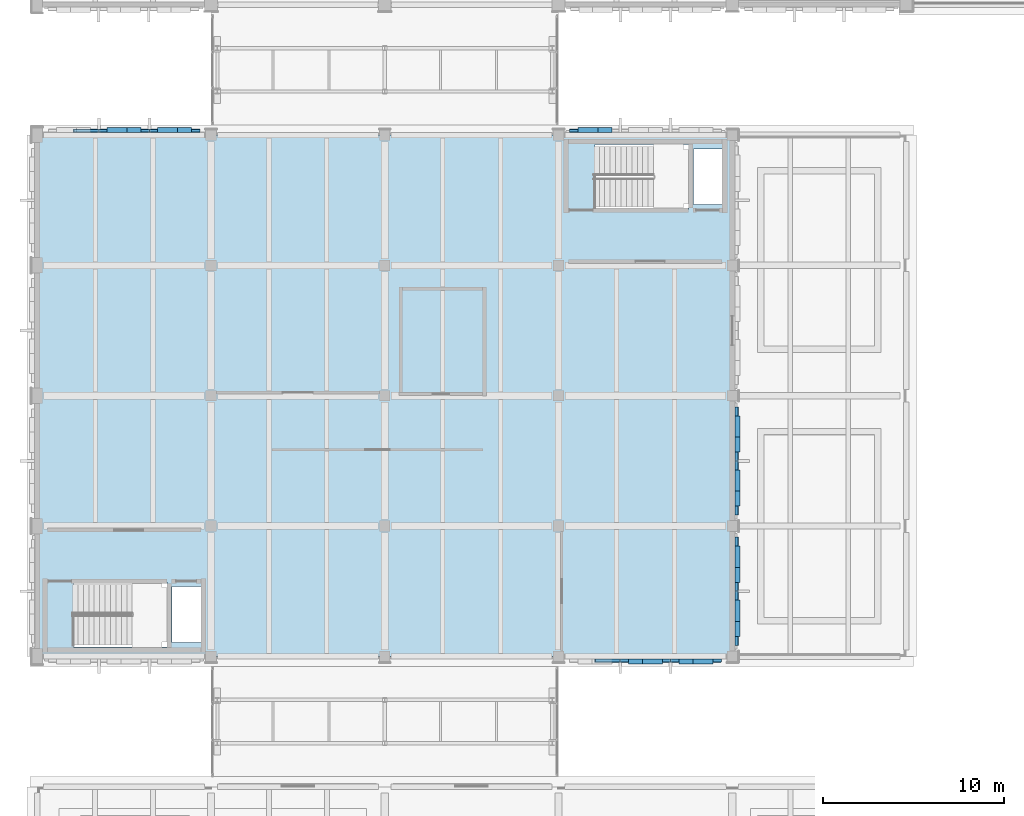
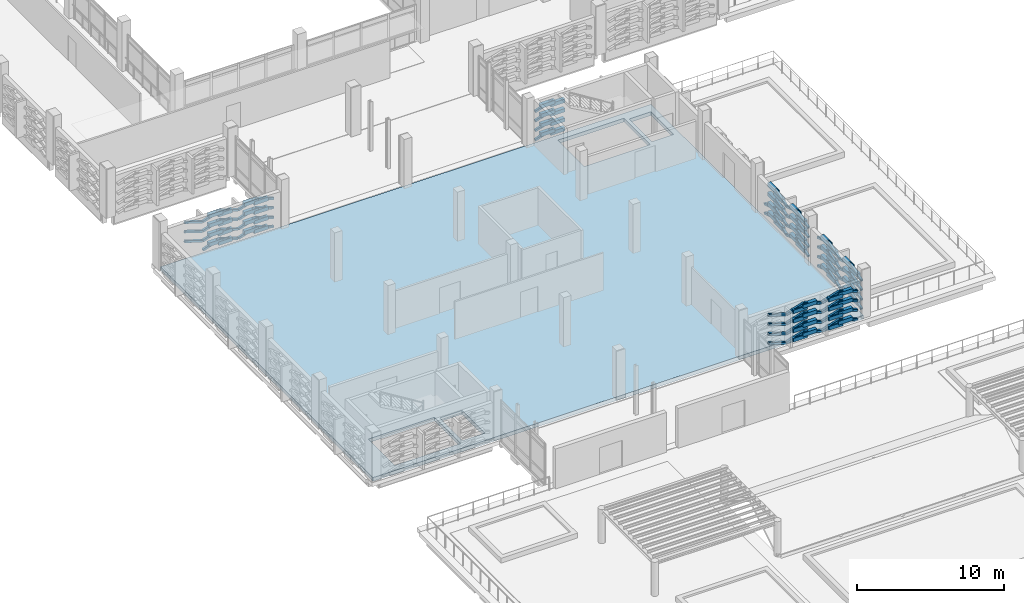
# One storey, part 91 of 134: 145 plates, 1 slab.
"""IFC4 building model written with IfcOpenShell, lengths in metres."""

from ifc_helpers import new_model, si_unit, direction, frame, origin, origin_2d, place, context, subcontext, project, spatial, polyline, rectangle, hollow_rectangle, outline, extrude, material, layer, layer_set, material_profile, profile_set, type_object, element, save


model = new_model("IFC4")

# Units and contexts
model_context = context("Model", 3, precision=1e-05, world=origin(), true_north=direction((0.0, 1.0)))
body_context = subcontext(model_context, "Body", "Model", "MODEL_VIEW")
ifc_project = project(units=[si_unit("LENGTHUNIT", "METRE"), si_unit("AREAUNIT", "SQUARE_METRE"), si_unit("VOLUMEUNIT", "CUBIC_METRE"), si_unit("PLANEANGLEUNIT", "RADIAN"), si_unit("MASSUNIT", "GRAM", prefix="KILO")], contexts=[model_context])

# Site, building, storey
site_placement = place(None, origin())
site = spatial("IfcSite", under=ifc_project, at=site_placement, CompositionType="ELEMENT")
building_placement = place(site_placement, origin())
building = spatial("IfcBuilding", under=site, at=building_placement, Name="Asteropetra Specialist Clinic", CompositionType="ELEMENT")
storey_placement = place(building_placement, frame((0.0, 0.0, 8.5)))
storey = spatial("IfcBuildingStorey", under=building, at=storey_placement, Name="L02", CompositionType="ELEMENT", Elevation=8.5)

# Plates
ifc_material_1 = material(Name="Chevron emerald aluminium 6063-T6", Category="aluminium")
ifc_material_profile = material_profile(ifc_material_1, hollow_rectangle(XDim=0.179931640625, YDim=0.179931640625, WallThickness=0.010009765625, InnerFilletRadius=0.008056640625, OuterFilletRadius=0.01611328125, at=origin_2d()), Name="SHS 180x180x10.0")
ifc_profile_set = profile_set([ifc_material_profile], Name="Chevron emerald aluminium 6063-T6")
plate_type_1 = type_object("IfcPlateType", Name="CHV-RIB-180", PredefinedType="SHEET", material=ifc_profile_set)
for number, where, z_axis, x_axis, name in (
    (1, (8.9599609375, 62.636962890625, 0.050048828125), (-0.952473286797, 0.0, 0.304622123191), (0.0, -1.0, 0.0), "Chevron Facade Screen Fin CVR-1726"),
    (2, (7.586669921875, 62.636962890625, 0.4892578125), (-0.952473286797, 0.0, -0.304622123191), (0.0, -1.0, 0.0), "Chevron Facade Screen Fin CVR-1727"),
    (3, (8.9599609375, 62.636962890625, 0.820068359375), (-0.952473286797, 0.0, 0.304622123191), (0.0, -1.0, 0.0), "Chevron Facade Screen Fin CVR-1728"),
    (4, (7.586669921875, 62.636962890625, 1.25927734375), (-0.952473286797, 0.0, -0.304622123191), (0.0, -1.0, 0.0), "Chevron Facade Screen Fin CVR-1729"),
    (5, (8.9599609375, 62.636962890625, 1.6201171875), (-0.952473286797, 0.0, 0.304622123191), (0.0, -1.0, 0.0), "Chevron Facade Screen Fin CVR-1730"),
    (6, (7.586669921875, 62.636962890625, 2.059326171875), (-0.952473286797, 0.0, -0.304622123191), (0.0, -1.0, 0.0), "Chevron Facade Screen Fin CVR-1731"),
    (7, (8.9599609375, 62.636962890625, 2.39990234375), (-0.952424147199, 0.0, 0.304775727104), (0.0, -1.0, 0.0), "Chevron Facade Screen Fin CVR-1732"),
    (8, (7.586669921875, 62.636962890625, 2.83935546875), (-0.952424147199, 0.0, -0.304775727104), (0.0, -1.0, 0.0), "Chevron Facade Screen Fin CVR-1733"),
    (9, (6.17333984375, 62.636962890625, 0.050048828125), (-0.952473286797, 0.0, 0.304622123191), (0.0, -1.0, 0.0), "Chevron Facade Screen Fin CVR-1734"),
    (10, (4.800048828125, 62.636962890625, 0.4892578125), (-0.952473286797, 0.0, -0.304622123191), (0.0, -1.0, 0.0), "Chevron Facade Screen Fin CVR-1735"),
    (11, (6.17333984375, 62.636962890625, 0.820068359375), (-0.952473286797, 0.0, 0.304622123191), (0.0, -1.0, 0.0), "Chevron Facade Screen Fin CVR-1736"),
    (12, (4.800048828125, 62.636962890625, 1.25927734375), (-0.952473286797, 0.0, -0.304622123191), (0.0, -1.0, 0.0), "Chevron Facade Screen Fin CVR-1737"),
    (13, (6.17333984375, 62.636962890625, 1.6201171875), (-0.952473286797, 0.0, 0.304622123191), (0.0, -1.0, 0.0), "Chevron Facade Screen Fin CVR-1738"),
    (14, (4.800048828125, 62.636962890625, 2.059326171875), (-0.952473286797, 0.0, -0.304622123191), (0.0, -1.0, 0.0), "Chevron Facade Screen Fin CVR-1739"),
    (15, (6.17333984375, 62.636962890625, 2.39990234375), (-0.952424147199, 0.0, 0.304775727104), (0.0, -1.0, 0.0), "Chevron Facade Screen Fin CVR-1740"),
    (16, (4.800048828125, 62.636962890625, 2.83935546875), (-0.952424147199, 0.0, -0.304775727104), (0.0, -1.0, 0.0), "Chevron Facade Screen Fin CVR-1741"),
):
    element("IfcPlate", number, at=place(storey_placement, frame(where, z_axis=z_axis, x_axis=x_axis)), inside=storey, type_object=plate_type_1, Name=name, PredefinedType="SHEET", context=body_context, shape_type="SweptSolid", body=[
        extrude(hollow_rectangle(XDim=0.179931640625, YDim=0.179931640625, WallThickness=0.010009765625, InnerFilletRadius=0.008056640625, OuterFilletRadius=0.01611328125, at=origin_2d()), origin(), (0.0, 0.0, 1.0), 1.44189453125),
    ])
for number, where, z_axis, x_axis, name in (
    (17, (3.38671875, 62.636962890625, 0.820068359375), (-0.952488995782, 0.0, 0.304573000962), (0.0, -1.0, 0.0), "Chevron Facade Screen Fin CVR-1744"),
    (18, (3.38671875, 62.636962890625, 1.6201171875), (-0.952488995782, 0.0, 0.304573000962), (0.0, -1.0, 0.0), "Chevron Facade Screen Fin CVR-1746"),
    (19, (3.38671875, 62.636962890625, 2.39990234375), (-0.952439871219, 0.0, 0.304726585175), (0.0, -1.0, 0.0), "Chevron Facade Screen Fin CVR-1748"),
    (20, (30.813232421875, 33.363037109375, 0.4892578125), (0.952488995782, 0.0, -0.304573000962), (0.0, 1.0, 0.0), "Chevron Facade Screen Fin CVR-1751"),
    (21, (30.813232421875, 33.363037109375, 1.25927734375), (0.952488995782, 0.0, -0.304573000962), (0.0, 1.0, 0.0), "Chevron Facade Screen Fin CVR-1753"),
    (22, (30.813232421875, 33.363037109375, 2.059326171875), (0.952488995782, 0.0, -0.304573000962), (0.0, 1.0, 0.0), "Chevron Facade Screen Fin CVR-1755"),
    (23, (30.813232421875, 33.363037109375, 2.83935546875), (0.952439871219, 0.0, -0.304726585175), (0.0, 1.0, 0.0), "Chevron Facade Screen Fin CVR-1757"),
):
    element("IfcPlate", number, at=place(storey_placement, frame(where, z_axis=z_axis, x_axis=x_axis)), inside=storey, type_object=plate_type_1, Name=name, PredefinedType="SHEET", context=body_context, shape_type="SweptSolid", body=[
        extrude(hollow_rectangle(XDim=0.179931640625, YDim=0.179931640625, WallThickness=0.010009765625, InnerFilletRadius=0.008056640625, OuterFilletRadius=0.01611328125, at=origin_2d()), origin(), (0.0, 0.0, 1.0), 1.442138671875),
    ])
for number, where, z_axis, x_axis, name in (
    (24, (32.226806640625, 33.363037109375, 0.050048828125), (0.952473286797, 0.0, 0.304622123191), (0.0, 1.0, 0.0), "Chevron Facade Screen Fin CVR-1758"),
    (25, (33.60009765625, 33.363037109375, 0.4892578125), (0.952473286797, 0.0, -0.304622123191), (0.0, 1.0, 0.0), "Chevron Facade Screen Fin CVR-1759"),
    (26, (32.226806640625, 33.363037109375, 0.820068359375), (0.952473286797, 0.0, 0.304622123191), (0.0, 1.0, 0.0), "Chevron Facade Screen Fin CVR-1760"),
    (27, (33.60009765625, 33.363037109375, 1.25927734375), (0.952473286797, 0.0, -0.304622123191), (0.0, 1.0, 0.0), "Chevron Facade Screen Fin CVR-1761"),
    (28, (32.226806640625, 33.363037109375, 1.6201171875), (0.952473286797, 0.0, 0.304622123191), (0.0, 1.0, 0.0), "Chevron Facade Screen Fin CVR-1762"),
    (29, (33.60009765625, 33.363037109375, 2.059326171875), (0.952473286797, 0.0, -0.304622123191), (0.0, 1.0, 0.0), "Chevron Facade Screen Fin CVR-1763"),
    (30, (32.226806640625, 33.363037109375, 2.39990234375), (0.952424147199, 0.0, 0.304775727104), (0.0, 1.0, 0.0), "Chevron Facade Screen Fin CVR-1764"),
    (31, (33.60009765625, 33.363037109375, 2.83935546875), (0.952424147199, 0.0, -0.304775727104), (0.0, 1.0, 0.0), "Chevron Facade Screen Fin CVR-1765"),
):
    element("IfcPlate", number, at=place(storey_placement, frame(where, z_axis=z_axis, x_axis=x_axis)), inside=storey, type_object=plate_type_1, Name=name, PredefinedType="SHEET", context=body_context, shape_type="SweptSolid", body=[
        extrude(hollow_rectangle(XDim=0.179931640625, YDim=0.179931640625, WallThickness=0.010009765625, InnerFilletRadius=0.008056640625, OuterFilletRadius=0.01611328125, at=origin_2d()), origin(), (0.0, 0.0, 1.0), 1.44189453125),
    ])
plate_1_placement = place(storey_placement, frame((35.01318359375, 33.363037109375, 0.050048828125), z_axis=(0.952488995782, 0.0, 0.304573000962), x_axis=(0.0, 1.0, 0.0)))
element("IfcPlate", 32, at=plate_1_placement, inside=storey, type_object=plate_type_1, Name="Chevron Facade Screen Fin CVR-1766", PredefinedType="SHEET", context=body_context, shape_type="SweptSolid", body=[
    extrude(hollow_rectangle(XDim=0.179931640625, YDim=0.179931640625, WallThickness=0.010009765625, InnerFilletRadius=0.008056640625, OuterFilletRadius=0.01611328125, at=origin_2d()), origin(), (0.0, 0.0, 1.0), 1.442138671875),
])
plate_2_placement = place(storey_placement, frame((36.38671875, 33.363037109375, 0.4892578125), z_axis=(0.952473286797, 0.0, -0.304622123191), x_axis=(0.0, 1.0, 0.0)))
element("IfcPlate", 33, at=plate_2_placement, inside=storey, type_object=plate_type_1, Name="Chevron Facade Screen Fin CVR-1767", PredefinedType="SHEET", context=body_context, shape_type="SweptSolid", body=[
    extrude(hollow_rectangle(XDim=0.179931640625, YDim=0.179931640625, WallThickness=0.010009765625, InnerFilletRadius=0.008056640625, OuterFilletRadius=0.01611328125, at=origin_2d()), origin(), (0.0, 0.0, 1.0), 1.44189453125),
])
plate_3_placement = place(storey_placement, frame((35.01318359375, 33.363037109375, 0.820068359375), z_axis=(0.952488995782, 0.0, 0.304573000962), x_axis=(0.0, 1.0, 0.0)))
element("IfcPlate", 34, at=plate_3_placement, inside=storey, type_object=plate_type_1, Name="Chevron Facade Screen Fin CVR-1768", PredefinedType="SHEET", context=body_context, shape_type="SweptSolid", body=[
    extrude(hollow_rectangle(XDim=0.179931640625, YDim=0.179931640625, WallThickness=0.010009765625, InnerFilletRadius=0.008056640625, OuterFilletRadius=0.01611328125, at=origin_2d()), origin(), (0.0, 0.0, 1.0), 1.442138671875),
])
plate_4_placement = place(storey_placement, frame((36.38671875, 33.363037109375, 1.25927734375), z_axis=(0.952473286797, 0.0, -0.304622123191), x_axis=(0.0, 1.0, 0.0)))
element("IfcPlate", 35, at=plate_4_placement, inside=storey, type_object=plate_type_1, Name="Chevron Facade Screen Fin CVR-1769", PredefinedType="SHEET", context=body_context, shape_type="SweptSolid", body=[
    extrude(hollow_rectangle(XDim=0.179931640625, YDim=0.179931640625, WallThickness=0.010009765625, InnerFilletRadius=0.008056640625, OuterFilletRadius=0.01611328125, at=origin_2d()), origin(), (0.0, 0.0, 1.0), 1.44189453125),
])
plate_5_placement = place(storey_placement, frame((35.01318359375, 33.363037109375, 1.6201171875), z_axis=(0.952488995782, 0.0, 0.304573000962), x_axis=(0.0, 1.0, 0.0)))
element("IfcPlate", 36, at=plate_5_placement, inside=storey, type_object=plate_type_1, Name="Chevron Facade Screen Fin CVR-1770", PredefinedType="SHEET", context=body_context, shape_type="SweptSolid", body=[
    extrude(hollow_rectangle(XDim=0.179931640625, YDim=0.179931640625, WallThickness=0.010009765625, InnerFilletRadius=0.008056640625, OuterFilletRadius=0.01611328125, at=origin_2d()), origin(), (0.0, 0.0, 1.0), 1.442138671875),
])
plate_6_placement = place(storey_placement, frame((36.38671875, 33.363037109375, 2.059326171875), z_axis=(0.952473286797, 0.0, -0.304622123191), x_axis=(0.0, 1.0, 0.0)))
element("IfcPlate", 37, at=plate_6_placement, inside=storey, type_object=plate_type_1, Name="Chevron Facade Screen Fin CVR-1771", PredefinedType="SHEET", context=body_context, shape_type="SweptSolid", body=[
    extrude(hollow_rectangle(XDim=0.179931640625, YDim=0.179931640625, WallThickness=0.010009765625, InnerFilletRadius=0.008056640625, OuterFilletRadius=0.01611328125, at=origin_2d()), origin(), (0.0, 0.0, 1.0), 1.44189453125),
])
plate_7_placement = place(storey_placement, frame((35.01318359375, 33.363037109375, 2.39990234375), z_axis=(0.952439871219, 0.0, 0.304726585175), x_axis=(0.0, 1.0, 0.0)))
element("IfcPlate", 38, at=plate_7_placement, inside=storey, type_object=plate_type_1, Name="Chevron Facade Screen Fin CVR-1772", PredefinedType="SHEET", context=body_context, shape_type="SweptSolid", body=[
    extrude(hollow_rectangle(XDim=0.179931640625, YDim=0.179931640625, WallThickness=0.010009765625, InnerFilletRadius=0.008056640625, OuterFilletRadius=0.01611328125, at=origin_2d()), origin(), (0.0, 0.0, 1.0), 1.442138671875),
])
for number, where, z_axis, x_axis, name in (
    (39, (36.38671875, 33.363037109375, 2.83935546875), (0.952424147199, 0.0, -0.304775727104), (0.0, 1.0, 0.0), "Chevron Facade Screen Fin CVR-1773"),
    (40, (30.813232421875, 62.636962890625, 0.4892578125), (-0.952473286797, 0.0, -0.304622123191), (0.0, -1.0, 0.0), "Chevron Facade Screen Fin CVR-1791"),
    (41, (30.813232421875, 62.636962890625, 1.25927734375), (-0.952473286797, 0.0, -0.304622123191), (0.0, -1.0, 0.0), "Chevron Facade Screen Fin CVR-1793"),
    (42, (30.813232421875, 62.636962890625, 2.059326171875), (-0.952473286797, 0.0, -0.304622123191), (0.0, -1.0, 0.0), "Chevron Facade Screen Fin CVR-1795"),
    (43, (30.813232421875, 62.636962890625, 2.83935546875), (-0.952424147199, 0.0, -0.304775727104), (0.0, -1.0, 0.0), "Chevron Facade Screen Fin CVR-1797"),
):
    element("IfcPlate", number, at=place(storey_placement, frame(where, z_axis=z_axis, x_axis=x_axis)), inside=storey, type_object=plate_type_1, Name=name, PredefinedType="SHEET", context=body_context, shape_type="SweptSolid", body=[
        extrude(hollow_rectangle(XDim=0.179931640625, YDim=0.179931640625, WallThickness=0.010009765625, InnerFilletRadius=0.008056640625, OuterFilletRadius=0.01611328125, at=origin_2d()), origin(), (0.0, 0.0, 1.0), 1.44189453125),
    ])
for number, where, z_axis, x_axis, name in (
    (44, (38.636962890625, 34.239990234375, 0.050048828125), (0.0, 0.952548977542, 0.304385356717), (-1.0, 0.0, 0.0), "Chevron Facade Screen Fin CVR-1814"),
    (45, (38.636962890625, 35.7099609375, 0.519775390625), (0.0, 0.952548977542, -0.304385356717), (-1.0, 0.0, 0.0), "Chevron Facade Screen Fin CVR-1815"),
    (46, (38.636962890625, 34.239990234375, 0.820068359375), (0.0, 0.952548977542, 0.304385356717), (-1.0, 0.0, 0.0), "Chevron Facade Screen Fin CVR-1816"),
    (47, (38.636962890625, 35.7099609375, 1.289794921875), (0.0, 0.952548977542, -0.304385356717), (-1.0, 0.0, 0.0), "Chevron Facade Screen Fin CVR-1817"),
    (48, (38.636962890625, 34.239990234375, 1.6201171875), (0.0, 0.952548977542, 0.304385356717), (-1.0, 0.0, 0.0), "Chevron Facade Screen Fin CVR-1818"),
    (49, (38.636962890625, 35.7099609375, 2.08984375), (0.0, 0.952548977542, -0.304385356717), (-1.0, 0.0, 0.0), "Chevron Facade Screen Fin CVR-1819"),
    (50, (38.636962890625, 34.239990234375, 2.39990234375), (0.0, 0.952503098829, 0.304528893082), (-1.0, 0.0, 0.0), "Chevron Facade Screen Fin CVR-1820"),
    (51, (38.636962890625, 35.7099609375, 2.869873046875), (0.0, 0.952503098829, -0.304528893082), (-1.0, 0.0, 0.0), "Chevron Facade Screen Fin CVR-1821"),
    (52, (38.636962890625, 37.219970703125, 0.050048828125), (0.0, 0.952548977542, 0.304385356717), (-1.0, 0.0, 0.0), "Chevron Facade Screen Fin CVR-1822"),
    (53, (38.636962890625, 38.68994140625, 0.519775390625), (0.0, 0.952548977542, -0.304385356717), (-1.0, 0.0, 0.0), "Chevron Facade Screen Fin CVR-1823"),
    (54, (38.636962890625, 37.219970703125, 0.820068359375), (0.0, 0.952548977542, 0.304385356717), (-1.0, 0.0, 0.0), "Chevron Facade Screen Fin CVR-1824"),
    (55, (38.636962890625, 38.68994140625, 1.289794921875), (0.0, 0.952548977542, -0.304385356717), (-1.0, 0.0, 0.0), "Chevron Facade Screen Fin CVR-1825"),
    (56, (38.636962890625, 37.219970703125, 1.6201171875), (0.0, 0.952548977542, 0.304385356717), (-1.0, 0.0, 0.0), "Chevron Facade Screen Fin CVR-1826"),
    (57, (38.636962890625, 38.68994140625, 2.08984375), (0.0, 0.952548977542, -0.304385356717), (-1.0, 0.0, 0.0), "Chevron Facade Screen Fin CVR-1827"),
    (58, (38.636962890625, 37.219970703125, 2.39990234375), (0.0, 0.952503098829, 0.304528893082), (-1.0, 0.0, 0.0), "Chevron Facade Screen Fin CVR-1828"),
    (59, (38.636962890625, 38.68994140625, 2.869873046875), (0.0, 0.952503098829, -0.304528893082), (-1.0, 0.0, 0.0), "Chevron Facade Screen Fin CVR-1829"),
    (60, (38.636962890625, 41.43994140625, 0.050048828125), (0.0, 0.952548977542, 0.304385356717), (-1.0, 0.0, 0.0), "Chevron Facade Screen Fin CVR-1846"),
    (61, (38.636962890625, 42.909912109375, 0.519775390625), (0.0, 0.952548977542, -0.304385356717), (-1.0, 0.0, 0.0), "Chevron Facade Screen Fin CVR-1847"),
    (62, (38.636962890625, 41.43994140625, 0.820068359375), (0.0, 0.952548977542, 0.304385356717), (-1.0, 0.0, 0.0), "Chevron Facade Screen Fin CVR-1848"),
    (63, (38.636962890625, 42.909912109375, 1.289794921875), (0.0, 0.952548977542, -0.304385356717), (-1.0, 0.0, 0.0), "Chevron Facade Screen Fin CVR-1849"),
    (64, (38.636962890625, 41.43994140625, 1.6201171875), (0.0, 0.952548977542, 0.304385356717), (-1.0, 0.0, 0.0), "Chevron Facade Screen Fin CVR-1850"),
    (65, (38.636962890625, 42.909912109375, 2.08984375), (0.0, 0.952548977542, -0.304385356717), (-1.0, 0.0, 0.0), "Chevron Facade Screen Fin CVR-1851"),
    (66, (38.636962890625, 41.43994140625, 2.39990234375), (0.0, 0.952503098829, 0.304528893082), (-1.0, 0.0, 0.0), "Chevron Facade Screen Fin CVR-1852"),
    (67, (38.636962890625, 42.909912109375, 2.869873046875), (0.0, 0.952503098829, -0.304528893082), (-1.0, 0.0, 0.0), "Chevron Facade Screen Fin CVR-1853"),
    (68, (38.636962890625, 44.419921875, 0.050048828125), (0.0, 0.952548977542, 0.304385356717), (-1.0, 0.0, 0.0), "Chevron Facade Screen Fin CVR-1854"),
):
    element("IfcPlate", number, at=place(storey_placement, frame(where, z_axis=z_axis, x_axis=x_axis)), inside=storey, type_object=plate_type_1, Name=name, PredefinedType="SHEET", context=body_context, shape_type="SweptSolid", body=[
        extrude(hollow_rectangle(XDim=0.179931640625, YDim=0.179931640625, WallThickness=0.010009765625, InnerFilletRadius=0.008056640625, OuterFilletRadius=0.01611328125, at=origin_2d()), origin(), (0.0, 0.0, 1.0), 1.543212890625),
    ])
plate_8_placement = place(storey_placement, frame((38.636962890625, 45.889892578125, 0.519775390625), z_axis=(0.0, 0.952563631942, -0.304339493168), x_axis=(-1.0, 0.0, 0.0)))
element("IfcPlate", 69, at=plate_8_placement, inside=storey, type_object=plate_type_1, Name="Chevron Facade Screen Fin CVR-1855", PredefinedType="SHEET", context=body_context, shape_type="SweptSolid", body=[
    extrude(hollow_rectangle(XDim=0.179931640625, YDim=0.179931640625, WallThickness=0.010009765625, InnerFilletRadius=0.008056640625, OuterFilletRadius=0.01611328125, at=origin_2d()), origin(), (0.0, 0.0, 1.0), 1.54345703125),
])
plate_9_placement = place(storey_placement, frame((38.636962890625, 44.419921875, 0.820068359375), z_axis=(0.0, 0.952548977542, 0.304385356717), x_axis=(-1.0, 0.0, 0.0)))
element("IfcPlate", 70, at=plate_9_placement, inside=storey, type_object=plate_type_1, Name="Chevron Facade Screen Fin CVR-1856", PredefinedType="SHEET", context=body_context, shape_type="SweptSolid", body=[
    extrude(hollow_rectangle(XDim=0.179931640625, YDim=0.179931640625, WallThickness=0.010009765625, InnerFilletRadius=0.008056640625, OuterFilletRadius=0.01611328125, at=origin_2d()), origin(), (0.0, 0.0, 1.0), 1.543212890625),
])
plate_10_placement = place(storey_placement, frame((38.636962890625, 45.889892578125, 1.289794921875), z_axis=(0.0, 0.952563631942, -0.304339493168), x_axis=(-1.0, 0.0, 0.0)))
element("IfcPlate", 71, at=plate_10_placement, inside=storey, type_object=plate_type_1, Name="Chevron Facade Screen Fin CVR-1857", PredefinedType="SHEET", context=body_context, shape_type="SweptSolid", body=[
    extrude(hollow_rectangle(XDim=0.179931640625, YDim=0.179931640625, WallThickness=0.010009765625, InnerFilletRadius=0.008056640625, OuterFilletRadius=0.01611328125, at=origin_2d()), origin(), (0.0, 0.0, 1.0), 1.54345703125),
])
for number, where, z_axis, x_axis, name in (
    (72, (38.636962890625, 44.419921875, 1.6201171875), (0.0, 0.952548977542, 0.304385356717), (-1.0, 0.0, 0.0), "Chevron Facade Screen Fin CVR-1858"),
    (73, (38.636962890625, 44.419921875, 2.39990234375), (0.0, 0.952503098829, 0.304528893082), (-1.0, 0.0, 0.0), "Chevron Facade Screen Fin CVR-1860"),
):
    element("IfcPlate", number, at=place(storey_placement, frame(where, z_axis=z_axis, x_axis=x_axis)), inside=storey, type_object=plate_type_1, Name=name, PredefinedType="SHEET", context=body_context, shape_type="SweptSolid", body=[
        extrude(hollow_rectangle(XDim=0.179931640625, YDim=0.179931640625, WallThickness=0.010009765625, InnerFilletRadius=0.008056640625, OuterFilletRadius=0.01611328125, at=origin_2d()), origin(), (0.0, 0.0, 1.0), 1.543212890625),
    ])
ifc_material_2 = material(Name="Aluminium 6063-T6", Category="aluminium")
ifc_layer_1 = layer(ifc_material_2, 0.139892578125)
ifc_layer_set_1 = layer_set([ifc_layer_1], Name="Aluminium 6063-T6")
plate_type_2 = type_object("IfcPlateType", Name="PLT-CHV-TILE", PredefinedType="SHEET", material=ifc_layer_set_1)
for number, where, z_axis, x_axis, name in (
    (74, (7.97119140625, 62.68505859375, 0.03173828125), (0.0, 0.0, 1.0), (1.0, 0.0, 0.0), "Chevron Ceramic Panel CPT-1377"),
    (75, (7.2021484375, 62.68505859375, 0.19873046875), (0.0, 0.0, 1.0), (1.0, 0.0, 0.0), "Chevron Ceramic Panel CPT-1378"),
    (76, (7.97119140625, 62.68505859375, 0.8017578125), (0.0, 0.0, 1.0), (1.0, 0.0, 0.0), "Chevron Ceramic Panel CPT-1379"),
    (77, (7.2021484375, 62.68505859375, 0.96875), (0.0, 0.0, 1.0), (1.0, 0.0, 0.0), "Chevron Ceramic Panel CPT-1380"),
    (78, (7.97119140625, 62.68505859375, 1.6015625), (0.0, 0.0, 1.0), (1.0, 0.0, 0.0), "Chevron Ceramic Panel CPT-1381"),
    (79, (7.2021484375, 62.68505859375, 1.7685546875), (0.0, 0.0, 1.0), (1.0, 0.0, 0.0), "Chevron Ceramic Panel CPT-1382"),
    (80, (7.97119140625, 62.68505859375, 2.3818359375), (0.0, 0.0, 1.0), (1.0, 0.0, 0.0), "Chevron Ceramic Panel CPT-1383"),
    (81, (7.2021484375, 62.68505859375, 2.548828125), (0.0, 0.0, 1.0), (1.0, 0.0, 0.0), "Chevron Ceramic Panel CPT-1384"),
    (82, (5.1845703125, 62.68505859375, 0.03173828125), (0.0, 0.0, 1.0), (1.0, 0.0, 0.0), "Chevron Ceramic Panel CPT-1385"),
    (83, (4.41552734375, 62.68505859375, 0.19873046875), (0.0, 0.0, 1.0), (1.0, 0.0, 0.0), "Chevron Ceramic Panel CPT-1386"),
    (84, (5.1845703125, 62.68505859375, 0.8017578125), (0.0, 0.0, 1.0), (1.0, 0.0, 0.0), "Chevron Ceramic Panel CPT-1387"),
    (85, (4.41552734375, 62.68505859375, 0.96875), (0.0, 0.0, 1.0), (1.0, 0.0, 0.0), "Chevron Ceramic Panel CPT-1388"),
    (86, (5.1845703125, 62.68505859375, 1.6015625), (0.0, 0.0, 1.0), (1.0, 0.0, 0.0), "Chevron Ceramic Panel CPT-1389"),
    (87, (4.41552734375, 62.68505859375, 1.7685546875), (0.0, 0.0, 1.0), (1.0, 0.0, 0.0), "Chevron Ceramic Panel CPT-1390"),
    (88, (5.1845703125, 62.68505859375, 2.3818359375), (0.0, 0.0, 1.0), (1.0, 0.0, 0.0), "Chevron Ceramic Panel CPT-1391"),
    (89, (4.41552734375, 62.68505859375, 2.548828125), (0.0, 0.0, 1.0), (1.0, 0.0, 0.0), "Chevron Ceramic Panel CPT-1392"),
    (90, (33.215576171875, 33.31494140625, 0.03173828125), (0.0, 0.0, 1.0), (1.0, 0.0, 0.0), "Chevron Ceramic Panel CPT-1409"),
    (91, (33.984619140625, 33.31494140625, 0.19873046875), (0.0, 0.0, 1.0), (1.0, 0.0, 0.0), "Chevron Ceramic Panel CPT-1410"),
    (92, (33.215576171875, 33.31494140625, 0.8017578125), (0.0, 0.0, 1.0), (1.0, 0.0, 0.0), "Chevron Ceramic Panel CPT-1411"),
    (93, (33.984619140625, 33.31494140625, 0.96875), (0.0, 0.0, 1.0), (1.0, 0.0, 0.0), "Chevron Ceramic Panel CPT-1412"),
    (94, (33.215576171875, 33.31494140625, 1.6015625), (0.0, 0.0, 1.0), (1.0, 0.0, 0.0), "Chevron Ceramic Panel CPT-1413"),
    (95, (33.984619140625, 33.31494140625, 1.7685546875), (0.0, 0.0, 1.0), (1.0, 0.0, 0.0), "Chevron Ceramic Panel CPT-1414"),
    (96, (33.215576171875, 33.31494140625, 2.3818359375), (0.0, 0.0, 1.0), (1.0, 0.0, 0.0), "Chevron Ceramic Panel CPT-1415"),
    (97, (33.984619140625, 33.31494140625, 2.548828125), (0.0, 0.0, 1.0), (1.0, 0.0, 0.0), "Chevron Ceramic Panel CPT-1416"),
    (98, (36.002197265625, 33.31494140625, 0.03173828125), (0.0, 0.0, 1.0), (1.0, 0.0, 0.0), "Chevron Ceramic Panel CPT-1417"),
    (99, (36.771240234375, 33.31494140625, 0.19873046875), (0.0, 0.0, 1.0), (1.0, 0.0, 0.0), "Chevron Ceramic Panel CPT-1418"),
    (100, (36.002197265625, 33.31494140625, 0.8017578125), (0.0, 0.0, 1.0), (1.0, 0.0, 0.0), "Chevron Ceramic Panel CPT-1419"),
    (101, (36.771240234375, 33.31494140625, 0.96875), (0.0, 0.0, 1.0), (1.0, 0.0, 0.0), "Chevron Ceramic Panel CPT-1420"),
    (102, (36.002197265625, 33.31494140625, 1.6015625), (0.0, 0.0, 1.0), (1.0, 0.0, 0.0), "Chevron Ceramic Panel CPT-1421"),
    (103, (36.771240234375, 33.31494140625, 1.7685546875), (0.0, 0.0, 1.0), (1.0, 0.0, 0.0), "Chevron Ceramic Panel CPT-1422"),
    (104, (36.002197265625, 33.31494140625, 2.3818359375), (0.0, 0.0, 1.0), (1.0, 0.0, 0.0), "Chevron Ceramic Panel CPT-1423"),
    (105, (36.771240234375, 33.31494140625, 2.548828125), (0.0, 0.0, 1.0), (1.0, 0.0, 0.0), "Chevron Ceramic Panel CPT-1424"),
    (106, (31.197998046875, 62.68505859375, 0.03173828125), (0.0, 0.0, 1.0), (1.0, 0.0, 0.0), "Chevron Ceramic Panel CPT-1441"),
    (107, (30.4287109375, 62.68505859375, 0.19873046875), (0.0, 0.0, 1.0), (1.0, 0.0, 0.0), "Chevron Ceramic Panel CPT-1442"),
    (108, (31.197998046875, 62.68505859375, 0.8017578125), (0.0, 0.0, 1.0), (1.0, 0.0, 0.0), "Chevron Ceramic Panel CPT-1443"),
    (109, (30.4287109375, 62.68505859375, 0.96875), (0.0, 0.0, 1.0), (1.0, 0.0, 0.0), "Chevron Ceramic Panel CPT-1444"),
    (110, (31.197998046875, 62.68505859375, 1.6015625), (0.0, 0.0, 1.0), (1.0, 0.0, 0.0), "Chevron Ceramic Panel CPT-1445"),
    (111, (30.4287109375, 62.68505859375, 1.7685546875), (0.0, 0.0, 1.0), (1.0, 0.0, 0.0), "Chevron Ceramic Panel CPT-1446"),
    (112, (31.197998046875, 62.68505859375, 2.3818359375), (0.0, 0.0, 1.0), (1.0, 0.0, 0.0), "Chevron Ceramic Panel CPT-1447"),
    (113, (30.4287109375, 62.68505859375, 2.548828125), (0.0, 0.0, 1.0), (1.0, 0.0, 0.0), "Chevron Ceramic Panel CPT-1448"),
):
    element("IfcPlate", number, at=place(storey_placement, frame(where, z_axis=z_axis, x_axis=x_axis)), inside=storey, type_object=plate_type_2, Name=name, PredefinedType="SHEET", context=body_context, shape_type="SweptSolid", body=[
        extrude(rectangle(XDim=1.09912109375, YDim=0.280029296875, at=origin_2d()), origin(), (0.0, 0.0, 1.0), 0.300048828125),
    ])
for number, where, z_axis, x_axis, name in (
    (114, (38.68505859375, 35.29833984375, 0.041015625), (0.0, 0.0, 1.0), (1.0, 0.0, 0.0), "Chevron Ceramic Panel CPT-1465"),
    (115, (38.68505859375, 36.12158203125, 0.21923828125), (0.0, 0.0, 1.0), (1.0, 0.0, 0.0), "Chevron Ceramic Panel CPT-1466"),
    (116, (38.68505859375, 35.29833984375, 0.81103515625), (0.0, 0.0, 1.0), (1.0, 0.0, 0.0), "Chevron Ceramic Panel CPT-1467"),
    (117, (38.68505859375, 36.12158203125, 0.9892578125), (0.0, 0.0, 1.0), (1.0, 0.0, 0.0), "Chevron Ceramic Panel CPT-1468"),
    (118, (38.68505859375, 35.29833984375, 1.61083984375), (0.0, 0.0, 1.0), (1.0, 0.0, 0.0), "Chevron Ceramic Panel CPT-1469"),
    (119, (38.68505859375, 36.12158203125, 1.78955078125), (0.0, 0.0, 1.0), (1.0, 0.0, 0.0), "Chevron Ceramic Panel CPT-1470"),
    (120, (38.68505859375, 35.29833984375, 2.39111328125), (0.0, 0.0, 1.0), (1.0, 0.0, 0.0), "Chevron Ceramic Panel CPT-1471"),
    (121, (38.68505859375, 36.12158203125, 2.5693359375), (0.0, 0.0, 1.0), (1.0, 0.0, 0.0), "Chevron Ceramic Panel CPT-1472"),
    (122, (38.68505859375, 38.2783203125, 0.041015625), (0.0, 0.0, 1.0), (1.0, 0.0, 0.0), "Chevron Ceramic Panel CPT-1473"),
    (123, (38.68505859375, 39.1015625, 0.21923828125), (0.0, 0.0, 1.0), (1.0, 0.0, 0.0), "Chevron Ceramic Panel CPT-1474"),
    (124, (38.68505859375, 38.2783203125, 0.81103515625), (0.0, 0.0, 1.0), (1.0, 0.0, 0.0), "Chevron Ceramic Panel CPT-1475"),
    (125, (38.68505859375, 39.1015625, 0.9892578125), (0.0, 0.0, 1.0), (1.0, 0.0, 0.0), "Chevron Ceramic Panel CPT-1476"),
    (126, (38.68505859375, 38.2783203125, 1.61083984375), (0.0, 0.0, 1.0), (1.0, 0.0, 0.0), "Chevron Ceramic Panel CPT-1477"),
    (127, (38.68505859375, 39.1015625, 1.78955078125), (0.0, 0.0, 1.0), (1.0, 0.0, 0.0), "Chevron Ceramic Panel CPT-1478"),
    (128, (38.68505859375, 38.2783203125, 2.39111328125), (0.0, 0.0, 1.0), (1.0, 0.0, 0.0), "Chevron Ceramic Panel CPT-1479"),
    (129, (38.68505859375, 39.1015625, 2.5693359375), (0.0, 0.0, 1.0), (1.0, 0.0, 0.0), "Chevron Ceramic Panel CPT-1480"),
    (130, (38.68505859375, 42.498291015625, 0.041015625), (0.0, 0.0, 1.0), (1.0, 0.0, 0.0), "Chevron Ceramic Panel CPT-1497"),
    (131, (38.68505859375, 43.321533203125, 0.21923828125), (0.0, 0.0, 1.0), (1.0, 0.0, 0.0), "Chevron Ceramic Panel CPT-1498"),
    (132, (38.68505859375, 42.498291015625, 0.81103515625), (0.0, 0.0, 1.0), (1.0, 0.0, 0.0), "Chevron Ceramic Panel CPT-1499"),
    (133, (38.68505859375, 43.321533203125, 0.9892578125), (0.0, 0.0, 1.0), (1.0, 0.0, 0.0), "Chevron Ceramic Panel CPT-1500"),
    (134, (38.68505859375, 42.498291015625, 1.61083984375), (0.0, 0.0, 1.0), (1.0, 0.0, 0.0), "Chevron Ceramic Panel CPT-1501"),
    (135, (38.68505859375, 43.321533203125, 1.78955078125), (0.0, 0.0, 1.0), (1.0, 0.0, 0.0), "Chevron Ceramic Panel CPT-1502"),
    (136, (38.68505859375, 42.498291015625, 2.39111328125), (0.0, 0.0, 1.0), (1.0, 0.0, 0.0), "Chevron Ceramic Panel CPT-1503"),
    (137, (38.68505859375, 43.321533203125, 2.5693359375), (0.0, 0.0, 1.0), (1.0, 0.0, 0.0), "Chevron Ceramic Panel CPT-1504"),
    (138, (38.68505859375, 45.478515625, 0.041015625), (0.0, 0.0, 1.0), (1.0, 0.0, 0.0), "Chevron Ceramic Panel CPT-1505"),
    (139, (38.68505859375, 46.301513671875, 0.21923828125), (0.0, 0.0, 1.0), (1.0, 0.0, 0.0), "Chevron Ceramic Panel CPT-1506"),
    (140, (38.68505859375, 45.478515625, 0.81103515625), (0.0, 0.0, 1.0), (1.0, 0.0, 0.0), "Chevron Ceramic Panel CPT-1507"),
    (141, (38.68505859375, 46.301513671875, 0.9892578125), (0.0, 0.0, 1.0), (1.0, 0.0, 0.0), "Chevron Ceramic Panel CPT-1508"),
    (142, (38.68505859375, 45.478515625, 1.61083984375), (0.0, 0.0, 1.0), (1.0, 0.0, 0.0), "Chevron Ceramic Panel CPT-1509"),
    (143, (38.68505859375, 46.301513671875, 1.78955078125), (0.0, 0.0, 1.0), (1.0, 0.0, 0.0), "Chevron Ceramic Panel CPT-1510"),
    (144, (38.68505859375, 45.478515625, 2.39111328125), (0.0, 0.0, 1.0), (1.0, 0.0, 0.0), "Chevron Ceramic Panel CPT-1511"),
    (145, (38.68505859375, 46.301513671875, 2.5693359375), (0.0, 0.0, 1.0), (1.0, 0.0, 0.0), "Chevron Ceramic Panel CPT-1512"),
):
    element("IfcPlate", number, at=place(storey_placement, frame(where, z_axis=z_axis, x_axis=x_axis)), inside=storey, type_object=plate_type_2, Name=name, PredefinedType="SHEET", context=body_context, shape_type="SweptSolid", body=[
        extrude(rectangle(XDim=0.280029296875, YDim=1.176025390625, at=origin_2d()), origin(), (0.0, 0.0, 1.0), 0.300048828125),
    ])

# Slab
ifc_material_3 = material(Name="Concrete C35/45", Category="concrete")
ifc_layer_2 = layer(ifc_material_3, 0.300048828125)
ifc_layer_set_2 = layer_set([ifc_layer_2], Name="Concrete C35/45")
slab_type = type_object("IfcSlabType", Name="SLB-FLR-300", PredefinedType="FLOOR", material=ifc_layer_set_2)
slab_placement = place(storey_placement, frame((0.0, 0.0, -0.300048828125)))
element("IfcSlab", 146, at=slab_placement, inside=storey, type_object=slab_type, Name="Slab V5 L02", PredefinedType="FLOOR", context=body_context, shape_type="SweptSolid", body=[
    extrude(outline(polyline([(0.0, 33.60009765625), (38.39990234375, 33.60009765625), (38.39990234375, 62.39990234375), (0.0, 62.39990234375), (0.0, 33.60009765625)]), holes=[polyline([(2.0, 34.1201171875), (7.179931640625, 34.1201171875), (7.179931640625, 37.699951171875), (2.0, 37.699951171875), (2.0, 34.1201171875)]), polyline([(7.449951171875, 34.3701171875), (9.199951171875, 34.3701171875), (9.199951171875, 37.449951171875), (7.449951171875, 37.449951171875), (7.449951171875, 34.3701171875)]), polyline([(30.800048828125, 58.300048828125), (35.97998046875, 58.300048828125), (35.97998046875, 61.8798828125), (30.800048828125, 61.8798828125), (30.800048828125, 58.300048828125)]), polyline([(36.25, 58.550048828125), (37.949951171875, 58.550048828125), (37.949951171875, 61.6298828125), (36.25, 61.6298828125), (36.25, 58.550048828125)])]), origin(), (0.0, 0.0, 1.0), 0.300048828125),
])

save(model, "model.ifc")
